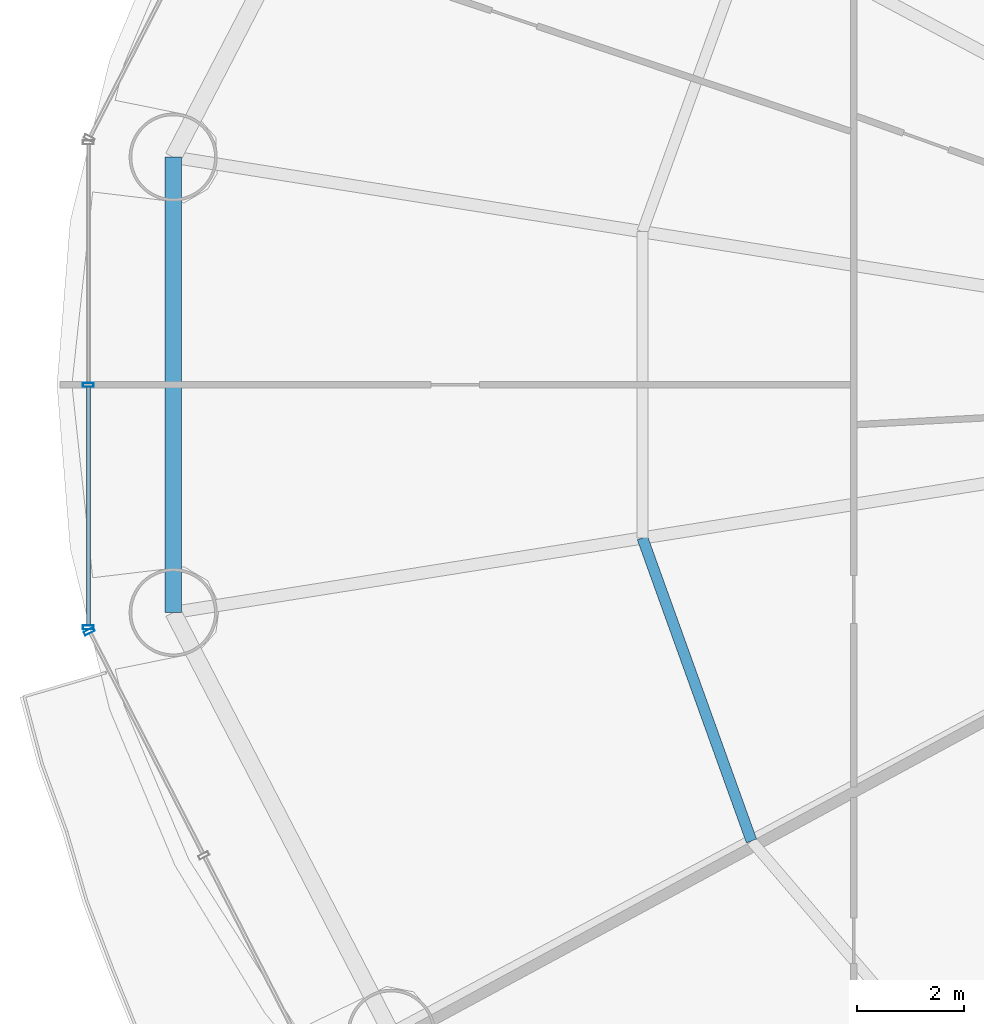
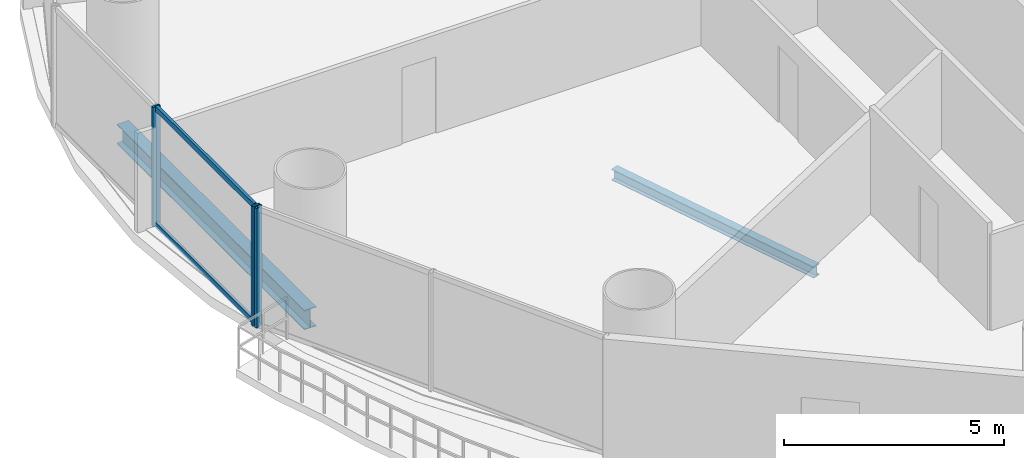
# One storey, part 7 of 30: 5 members, 2 beams, 2 elements without a shape of their own.
"""IFC4 building model written with IfcOpenShell, lengths in metres."""

from ifc_helpers import new_model, si_unit, direction, frame, origin, origin_2d, place, context, subcontext, project, spatial, hollow_rectangle, i_section, extrude, source, transform, mapped, material, material_profile, profile_set, type_object, element, aggregate, save


model = new_model("IFC4")

# Units and contexts
model_context = context("Model", 3, precision=1e-05, world=origin(), true_north=direction((-0.2419218956, 0.970295726276)))
body_context = subcontext(model_context, "Body", "Model", "MODEL_VIEW")
ifc_project = project(units=[si_unit("LENGTHUNIT", "METRE"), si_unit("AREAUNIT", "SQUARE_METRE"), si_unit("VOLUMEUNIT", "CUBIC_METRE"), si_unit("PLANEANGLEUNIT", "RADIAN"), si_unit("MASSUNIT", "GRAM", prefix="KILO")], contexts=[model_context])

# Site, building, storey
site_placement = place(None, origin())
site = spatial("IfcSite", under=ifc_project, at=site_placement, CompositionType="ELEMENT")
building_placement = place(site_placement, origin())
building = spatial("IfcBuilding", under=site, at=building_placement, Name="Cobrevalo Terracotta Tower", CompositionType="ELEMENT")
storey_placement = place(building_placement, frame((0.0, 0.0, 56.39990234375)))
storey = spatial("IfcBuildingStorey", under=building, at=storey_placement, Name="L14", CompositionType="ELEMENT", Elevation=56.39990234375)

# Beams
ifc_material_1 = material(Name="Steel S355", Category="steel")
ifc_material_profile_1 = material_profile(ifc_material_1, i_section(OverallWidth=0.2041015625, OverallDepth=0.305908203125, WebThickness=0.008544921875, FlangeThickness=0.0146484375, at=origin_2d()), Name="W 310x67")
ifc_profile_set_1 = profile_set([ifc_material_profile_1], Name="Steel S355")
beam_type_1 = type_object("IfcBeamType", Name="Structural Joist W 310x67 (Steel S355)", PredefinedType="JOIST", material=ifc_profile_set_1)
beam_1_placement = place(storey_placement, frame((19.960205078125, 23.933349609375, -0.432861328125), z_axis=(0.338672151116, -0.940904444701, 0.0), x_axis=(0.940904444701, 0.338672151116, 0.0)))
element("IfcBeam", 1, at=beam_1_placement, inside=storey, type_object=beam_type_1, Name="L14 circumferential secondary floor joist 09", PredefinedType="JOIST", context=body_context, shape_type="SweptSolid", body=[
    extrude(i_section(OverallWidth=0.2041015625, OverallDepth=0.305908203125, WebThickness=0.008544921875, FlangeThickness=0.0146484375, at=origin_2d()), origin(), (0.0, 0.0, 1.0), 6.029296875),
])
ifc_material_profile_2 = material_profile(ifc_material_1, i_section(OverallWidth=0.31201171875, OverallDepth=0.54296875, WebThickness=0.0126953125, FlangeThickness=0.020263671875, at=origin_2d()), Name="W 530x150")
ifc_profile_set_2 = profile_set([ifc_material_profile_2], Name="Steel S355")
beam_type_2 = type_object("IfcBeamType", Name="Structural Spandrel W 530x150 (Steel S355)", PredefinedType="SPANDREL", material=ifc_profile_set_2)
beam_2_placement = place(storey_placement, frame((11.175537109375, 31.062744140625, -0.551513671875), z_axis=(0.0, -1.0, 0.0), x_axis=(1.0, 0.0, 0.0)))
element("IfcBeam", 2, at=beam_2_placement, inside=storey, type_object=beam_type_2, Name="L14 perimeter ring spandrel 08", PredefinedType="SPANDREL", context=body_context, shape_type="SweptSolid", body=[
    extrude(i_section(OverallWidth=0.31201171875, OverallDepth=0.54296875, WebThickness=0.0126953125, FlangeThickness=0.020263671875, at=origin_2d()), origin(), (0.0, 0.0, 1.0), 8.525390625),
])

# Curtain wall, members
ifc_material_2 = material(Name="Anodized aluminium", Category="aluminium")
curtain_wall_type = type_object("IfcCurtainWallType", Name="Lower-tower unitised acoustic low-E curtain wall CW-U1", PredefinedType="NOTDEFINED", material=ifc_material_2)
curtain_wall_1_placement = place(storey_placement, origin())
curtain_wall_1 = element("IfcCurtainWall", 3, at=curtain_wall_1_placement, inside=storey, type_object=curtain_wall_type, Name="L14 curtain wall CW-L14-S08", PredefinedType="NOTDEFINED")
ifc_material_profile_3 = material_profile(ifc_material_2, hollow_rectangle(XDim=0.074951171875, YDim=0.199951171875, WallThickness=0.0048828125, at=origin_2d()), Name="CWM 75x200")
ifc_profile_set_3 = profile_set([ifc_material_profile_3], Name="Anodized aluminium")
member_type_1 = type_object("IfcMemberType", Name="Lower/mid tower unitised mullion 75x200", PredefinedType="MULLION", material=ifc_profile_set_3)
shared_shape_1 = source(origin(), body_context, "Body", "SweptSolid", [
    extrude(hollow_rectangle(XDim=0.074951171875, YDim=0.199951171875, WallThickness=0.0048828125, at=origin_2d()), origin(), (0.0, 0.0, 1.0), 3.320068359375),
])
member_1_placement = place(storey_placement, frame((9.586669921875, 26.800048828125, 0.0), z_axis=(0.0, 0.0, 1.0), x_axis=(0.0, -1.0, 0.0)))
member_1 = element("IfcMember", 4, at=member_1_placement, type_object=member_type_1, Name="CW-L14-S08 vertical mullion 02", PredefinedType="MULLION", context=body_context, shape_type="MappedRepresentation", body=[
    mapped(shared_shape_1, transform((0.0, 0.0, 0.0), scale=1.0)),
])
member_2_placement = place(storey_placement, frame((9.586669921875, 22.26123046875, 0.0), z_axis=(0.0, 0.0, 1.0), x_axis=(0.0, -1.0, 0.0)))
member_2 = element("IfcMember", 5, at=member_2_placement, type_object=member_type_1, Name="CW-L14-S08 vertical mullion 03", PredefinedType="MULLION", context=body_context, shape_type="MappedRepresentation", body=[
    mapped(shared_shape_1, transform((0.0, 0.0, 0.0), scale=1.0)),
])

# Curtain wall, member
curtain_wall_2_placement = place(storey_placement, origin())
curtain_wall_2 = element("IfcCurtainWall", 6, at=curtain_wall_2_placement, inside=storey, type_object=curtain_wall_type, Name="L14 curtain wall CW-L14-S09", PredefinedType="NOTDEFINED")
member_3_placement = place(storey_placement, frame((9.60498046875, 22.185546875, 0.0), z_axis=(0.0, 0.0, 1.0), x_axis=(0.455234136597, -0.890371765543, 0.0)))
member_3 = element("IfcMember", 7, at=member_3_placement, type_object=member_type_1, Name="CW-L14-S09 vertical mullion 01", PredefinedType="MULLION", context=body_context, shape_type="MappedRepresentation", body=[
    mapped(shared_shape_1, transform((0.0, 0.0, 0.0), scale=1.0)),
])
aggregate(curtain_wall_2, [member_3])

# Member
ifc_material_profile_4 = material_profile(ifc_material_2, hollow_rectangle(XDim=0.074951171875, YDim=0.14990234375, WallThickness=0.00439453125, at=origin_2d()), Name="CWT 75x150")
ifc_profile_set_4 = profile_set([ifc_material_profile_4], Name="Anodized aluminium")
member_type_2 = type_object("IfcMemberType", Name="Tower unitised aluminium transom 75x150", PredefinedType="USERDEFINED", material=ifc_profile_set_4)
shared_shape_2 = source(origin(), body_context, "Body", "SweptSolid", [
    extrude(hollow_rectangle(XDim=0.074951171875, YDim=0.14990234375, WallThickness=0.00439453125, at=origin_2d()), origin(), (0.0, 0.0, 1.0), 4.458740234375),
])
member_4_placement = place(storey_placement, frame((9.586669921875, 26.760009765625, 0.050048828125), z_axis=(0.0, -1.0, 0.0), x_axis=(1.0, 0.0, 0.0)))
member_4 = element("IfcMember", 8, at=member_4_placement, type_object=member_type_2, Name="CW-L14-S08 transom B02-T1", ObjectType="TRANSOM", PredefinedType="USERDEFINED", context=body_context, shape_type="MappedRepresentation", body=[
    mapped(shared_shape_2, transform((0.0, 0.0, 0.0), scale=1.0)),
])

member_5_placement = place(storey_placement, frame((9.586669921875, 26.760009765625, 3.27001953125), z_axis=(0.0, -1.0, 0.0), x_axis=(1.0, 0.0, 0.0)))
member_5 = element("IfcMember", 9, at=member_5_placement, type_object=member_type_2, Name="CW-L14-S08 transom B02-T2", ObjectType="TRANSOM", PredefinedType="USERDEFINED", context=body_context, shape_type="MappedRepresentation", body=[
    mapped(shared_shape_2, transform((0.0, 0.0, 0.0), scale=1.0)),
])

aggregate(curtain_wall_1, [member_1, member_2, member_4, member_5])

save(model, "model.ifc")
